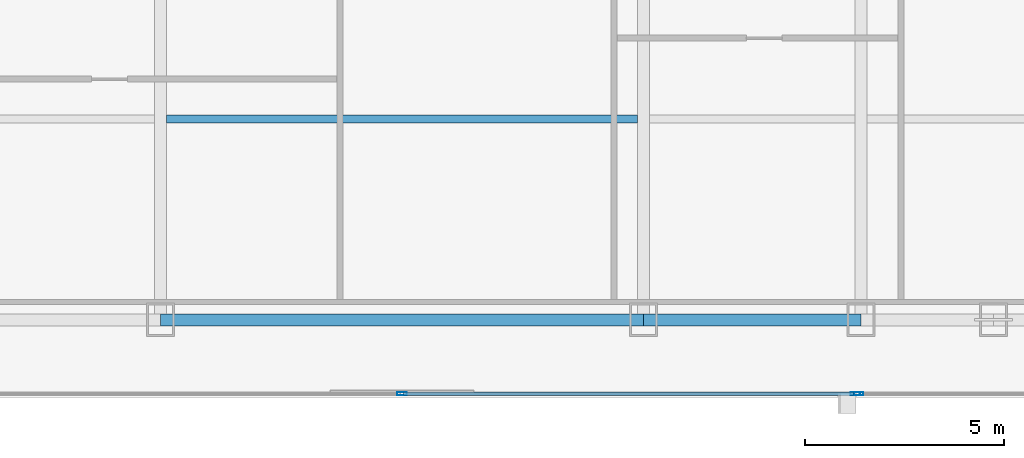
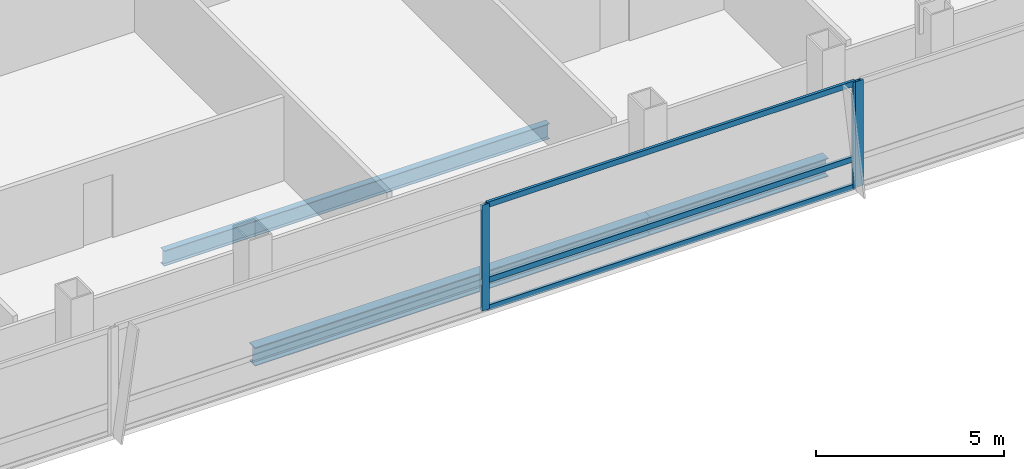
# One storey, part 13 of 29: 6 members, 3 beams, 2 elements without a shape of their own.
"""IFC4 building model written with IfcOpenShell, lengths in metres."""

import ifcopenshell
import ifcopenshell.guid

model = None  # the IFC model being written
_history = None  # IfcOwnerHistory: only IFC2X3 demands one
_inside = {}  # id of a spatial element -> (the spatial element, [elements in it])
_under = {}  # id of a project, library or spatial element -> (it, [spatial elements below it])
_declared = {}  # id of a project -> (the project, [libraries it declares])
_typed = {}  # id of a type object -> (the type object, [elements of that type])
_made_of = {}  # id of a material, layer set ... -> (it, [elements and type objects made of it])


def new_model(schema):
    """Start an empty IFC model of exactly this schema.

    Asked for "IFC4X3", IfcOpenShell would pick the latest addendum, in which some entities
    have other attributes; the version numbers below select the first issue.
    IFC2X3 requires an IfcOwnerHistory on every rooted entity: one is made here for all.
    """
    global model, _history
    if schema == "IFC4X3":
        model = ifcopenshell.file(schema_version=(4, 3, 0, 0))
    else:
        model = ifcopenshell.file(schema=schema)
    _inside.clear()
    _under.clear()
    _declared.clear()
    _typed.clear()
    _made_of.clear()
    _history = None
    if model.schema == "IFC2X3":
        org = make("IfcOrganization", Name="unknown")
        user = make(
            "IfcPersonAndOrganization",
            ThePerson=make("IfcPerson", FamilyName="unknown"),
            TheOrganization=org,
        )
        app = make(
            "IfcApplication",
            ApplicationDeveloper=org,
            Version="unknown",
            ApplicationFullName="unknown",
            ApplicationIdentifier="unknown",
        )
        _history = make(
            "IfcOwnerHistory",
            OwningUser=user,
            OwningApplication=app,
            ChangeAction="ADDED",
            CreationDate=0,
        )
    return model


def make(cls, **values):
    """One entity of the class cls with the attributes given. An attribute that is None is left unset."""
    return model.create_entity(
        cls, **{name: value for name, value in values.items() if value is not None}
    )


def rooted(cls, **values):
    """An entity with a GlobalId (a new one), such as an element, a storey or a relation."""
    return make(cls, GlobalId=ifcopenshell.guid.new(), OwnerHistory=_history, **values)


def si_unit(unit_type, name, prefix=None):
    """IfcSIUnit, for example si_unit("LENGTHUNIT", "METRE", prefix="MILLI")."""
    return make("IfcSIUnit", UnitType=unit_type, Prefix=prefix, Name=name)


def assignment(units):
    """IfcUnitAssignment: the units of a project."""
    return None if units is None else make("IfcUnitAssignment", Units=units)


def point(xyz):
    """IfcCartesianPoint."""
    return None if xyz is None else make("IfcCartesianPoint", Coordinates=xyz)


def direction(xyz):
    """IfcDirection."""
    return None if xyz is None else make("IfcDirection", DirectionRatios=xyz)


def frame(location, z_axis=None, x_axis=None):
    """IfcAxis2Placement3D, a coordinate frame: its origin and axes. An axis left out is left unset."""
    return make(
        "IfcAxis2Placement3D",
        Location=point(location),
        Axis=direction(z_axis),
        RefDirection=direction(x_axis),
    )


def frame_2d(location, x_axis=None):
    """IfcAxis2Placement2D, a coordinate frame in the plane: its origin and x axis."""
    return make(
        "IfcAxis2Placement2D", Location=point(location), RefDirection=direction(x_axis)
    )


def origin():
    """The frame at (0, 0, 0) with its axes left unset."""
    return frame((0.0, 0.0, 0.0))


def origin_2d():
    """The frame at (0, 0) in the plane with its x axis left unset."""
    return frame_2d((0.0, 0.0))


def place(relative_to, where):
    """IfcLocalPlacement: puts the frame where relative to a parent placement (None: the world)."""
    return make(
        "IfcLocalPlacement", PlacementRelTo=relative_to, RelativePlacement=where
    )


def context(
    kind, dimensions, precision=None, world=None, true_north=None, identifier=None
):
    """IfcGeometricRepresentationContext, for example the 3D "Model" context."""
    return make(
        "IfcGeometricRepresentationContext",
        ContextIdentifier=identifier,
        ContextType=kind,
        CoordinateSpaceDimension=dimensions,
        Precision=precision,
        WorldCoordinateSystem=world,
        TrueNorth=true_north,
    )


def subcontext(parent, identifier, kind, view, scale=None):
    """IfcGeometricRepresentationSubContext, for example "Body" below "Model"."""
    return make(
        "IfcGeometricRepresentationSubContext",
        ContextIdentifier=identifier,
        ContextType=kind,
        ParentContext=parent,
        TargetScale=scale,
        TargetView=view,
    )


def project(units=None, contexts=None):
    """IfcProject with its units and contexts."""
    return rooted(
        "IfcProject",
        Name="project",
        RepresentationContexts=contexts,
        UnitsInContext=assignment(units),
    )


def spatial(cls, under=None, at=None, **own):
    """A site, building, storey or space (cls), placed at a placement, below another one or the project."""
    s = rooted(cls, ObjectPlacement=at, **own)
    if under is not None:
        _under.setdefault(under.id(), (under, []))[1].append(s)
    return s


def profile(cls, at=None, kind="AREA", **sizes):
    """A parametric profile (cls). Its sizes go by their IFC names, for example OverallWidth=200.0."""
    return make(cls, ProfileType=kind, Position=at, **sizes)


def hollow_rectangle(**sizes):
    """IfcRectangleHollowProfileDef."""
    return profile("IfcRectangleHollowProfileDef", **sizes)


def i_section(**sizes):
    """IfcIShapeProfileDef."""
    return profile("IfcIShapeProfileDef", **sizes)


def extrude(swept, where, along, depth):
    """IfcExtrudedAreaSolid: the profile swept, set in the frame where, extruded along a direction by depth."""
    return make(
        "IfcExtrudedAreaSolid",
        SweptArea=swept,
        Position=where,
        ExtrudedDirection=direction(along),
        Depth=depth,
    )


def shape(context_of_items, identifier, shape_type, items):
    """IfcShapeRepresentation: the items that make up one representation, for example the "Body"."""
    return make(
        "IfcShapeRepresentation",
        ContextOfItems=context_of_items,
        RepresentationIdentifier=identifier,
        RepresentationType=shape_type,
        Items=items,
    )


def material(Name=None, Category=None):
    """IfcMaterial."""
    return make("IfcMaterial", Name=Name, Category=Category)


def material_profile(
    of_material, cross_section, Name=None, Category=None, Priority=None
):
    """IfcMaterialProfile: a cross section and its material."""
    return make(
        "IfcMaterialProfile",
        Name=Name,
        Material=of_material,
        Profile=cross_section,
        Priority=Priority,
        Category=Category,
    )


def profile_set(profiles, Name=None, composite=None):
    """IfcMaterialProfileSet."""
    return make(
        "IfcMaterialProfileSet",
        Name=Name,
        MaterialProfiles=profiles,
        CompositeProfile=composite,
    )


def made_of(thing, what):
    """Note that an element or type object is made of a material, layer set ...; save() writes the relation."""
    if what is not None:
        _made_of.setdefault(what.id(), (what, []))[1].append(thing)
    return thing


def type_object(cls, material=None, **own):
    """A type object (cls), such as IfcWallType, which elements share."""
    return made_of(rooted(cls, **own), material)


def element(
    cls,
    number,
    at=None,
    inside=None,
    cuts=None,
    type_object=None,
    material=None,
    context=None,
    identifier="Body",
    shape_type=None,
    held_by="IfcProductDefinitionShape",
    body=None,
    shapes=None,
    **own,
):
    """One element of the class cls, such as IfcWall. Its Tag is "e" and its number.

    at: its placement. inside: the storey or other place that contains it. cuts: it is an
    opening in that element (IfcRelVoidsElement). A single representation is given by context,
    identifier, shape_type and body (its items); several are given by shapes. held_by: the class
    of the entity that holds the representations. save() writes the other relations.
    """
    e = rooted(cls, Tag="e%d" % number, ObjectPlacement=at, **own)
    if body is not None:
        shapes = [shape(context, identifier, shape_type, body)]
    if shapes is not None:
        e.Representation = make(held_by, Representations=shapes)
    if inside is not None:
        _inside.setdefault(inside.id(), (inside, []))[1].append(e)
    if cuts is not None:
        rooted(
            "IfcRelVoidsElement", RelatingBuildingElement=cuts, RelatedOpeningElement=e
        )
    if type_object is not None:
        _typed.setdefault(type_object.id(), (type_object, []))[1].append(e)
    return made_of(e, material)


def aggregate(whole, parts):
    """IfcRelAggregates: a whole, such as a stair, and the parts it consists of."""
    return rooted("IfcRelAggregates", RelatingObject=whole, RelatedObjects=parts)


def save(model, path):
    """Write the relations noted so far, then the file.

    IfcRelAggregates (storeys below a building ...), IfcRelContainedInSpatialStructure (elements
    in a storey), IfcRelDefinesByType, IfcRelAssociatesMaterial and IfcRelDeclares: one each for
    every whole, place, type object, material and project.
    """
    for whole, parts in _under.values():
        aggregate(whole, parts)
    for where, things in _inside.values():
        rooted(
            "IfcRelContainedInSpatialStructure",
            RelatedElements=things,
            RelatingStructure=where,
        )
    for kind, things in _typed.values():
        rooted("IfcRelDefinesByType", RelatedObjects=things, RelatingType=kind)
    for what, things in _made_of.values():
        rooted("IfcRelAssociatesMaterial", RelatedObjects=things, RelatingMaterial=what)
    for by, libraries in _declared.values():
        rooted("IfcRelDeclares", RelatingContext=by, RelatedDefinitions=libraries)
    model.write(path)


model = new_model("IFC4")

# Units and contexts
model_context = context("Model", 3, precision=1e-05, world=origin(), true_north=direction((0.0, 1.0)))
body_context = subcontext(model_context, "Body", "Model", "MODEL_VIEW")
ifc_project = project(units=[si_unit("LENGTHUNIT", "METRE"), si_unit("AREAUNIT", "SQUARE_METRE"), si_unit("VOLUMEUNIT", "CUBIC_METRE"), si_unit("PLANEANGLEUNIT", "RADIAN"), si_unit("MASSUNIT", "GRAM", prefix="KILO")], contexts=[model_context])

# Site, building, storey
site_placement = place(None, origin())
site = spatial("IfcSite", under=ifc_project, at=site_placement, CompositionType="ELEMENT")
building_placement = place(site_placement, origin())
building = spatial("IfcBuilding", under=site, at=building_placement, Name="Khoronbel Lancet Exchange", CompositionType="ELEMENT")
storey_placement = place(building_placement, frame((0.0, 0.0, 143.39990234375)))
storey = spatial("IfcBuildingStorey", under=building, at=storey_placement, Name="L35", CompositionType="ELEMENT", Elevation=143.39990234375)

# Beams
ifc_material_1 = material(Name="Steel S355", Category="steel")
ifc_material_profile_1 = material_profile(ifc_material_1, i_section(OverallWidth=0.199951171875, OverallDepth=0.5, WebThickness=0.01025390625, FlangeThickness=0.01611328125, at=origin_2d()), Name="IPE 500")
ifc_profile_set_1 = profile_set([ifc_material_profile_1], Name="Steel S355")
beam_type_1 = type_object("IfcBeamType", Name="BM-BJ3", PredefinedType="JOIST", material=ifc_profile_set_1)
beam_1_placement = place(storey_placement, frame((30.52490234375, 15.199951171875, -0.409912109375), z_axis=(1.0, 0.0, 0.0), x_axis=(0.0, 1.0, 0.0)))
element("IfcBeam", 1, at=beam_1_placement, inside=storey, type_object=beam_type_1, Name="Level L35 secondary composite joist J03", PredefinedType="JOIST", context=body_context, shape_type="SweptSolid", body=[
    extrude(i_section(OverallWidth=0.199951171875, OverallDepth=0.5, WebThickness=0.01025390625, FlangeThickness=0.01611328125, at=origin_2d()), origin(), (0.0, 0.0, 1.0), 11.85009765625),
])
ifc_material_profile_2 = material_profile(ifc_material_1, i_section(OverallWidth=0.300048828125, OverallDepth=0.60009765625, WebThickness=0.015380859375, FlangeThickness=0.030029296875, at=origin_2d()), Name="HEB 600")
ifc_profile_set_2 = profile_set([ifc_material_profile_2], Name="Steel S355")
beam_type_2 = type_object("IfcBeamType", Name="BM-BSP2", PredefinedType="SPANDREL", material=ifc_profile_set_2)
beam_2_placement = place(storey_placement, frame((30.375, 10.14990234375, -0.4599609375), z_axis=(1.0, 0.0, 0.0), x_axis=(0.0, 1.0, 0.0)))
element("IfcBeam", 2, at=beam_2_placement, inside=storey, type_object=beam_type_2, Name="Level L35 perimeter spandrel beam SP05", PredefinedType="SPANDREL", context=body_context, shape_type="SweptSolid", body=[
    extrude(i_section(OverallWidth=0.300048828125, OverallDepth=0.60009765625, WebThickness=0.015380859375, FlangeThickness=0.030029296875, at=origin_2d()), origin(), (0.0, 0.0, 1.0), 12.14990234375),
])
beam_3_placement = place(storey_placement, frame((42.52490234375, 10.14990234375, -0.4599609375), z_axis=(1.0, 0.0, 0.0), x_axis=(0.0, 1.0, 0.0)))
element("IfcBeam", 3, at=beam_3_placement, inside=storey, type_object=beam_type_2, Name="Level L35 perimeter spandrel beam SP06", PredefinedType="SPANDREL", context=body_context, shape_type="SweptSolid", body=[
    extrude(i_section(OverallWidth=0.300048828125, OverallDepth=0.60009765625, WebThickness=0.015380859375, FlangeThickness=0.030029296875, at=origin_2d()), origin(), (0.0, 0.0, 1.0), 5.47509765625),
])

# Curtain wall, members
ifc_material_2 = material(Name="Low-E Solar Control Insulating Glass", Category="glass")
curtain_wall_type = type_object("IfcCurtainWallType", Name="CW-3", PredefinedType="NOTDEFINED", material=ifc_material_2)
curtain_wall_1_placement = place(storey_placement, origin())
curtain_wall_1 = element("IfcCurtainWall", 4, at=curtain_wall_1_placement, inside=storey, type_object=curtain_wall_type, Name="Unitised curtain wall CW-L35-SCV", PredefinedType="NOTDEFINED")
ifc_material_3 = material(Name="Bronze-Anodised Aluminium 6063-T6", Category="aluminium")
ifc_material_profile_3 = material_profile(ifc_material_3, hollow_rectangle(XDim=0.0849609375, YDim=0.239990234375, WallThickness=0.006103515625, at=origin_2d()), Name="ALU MULLION 85x240")
ifc_profile_set_3 = profile_set([ifc_material_profile_3], Name="Bronze-Anodised Aluminium 6063-T6")
member_type_1 = type_object("IfcMemberType", Name="MEM-CWM1", PredefinedType="MULLION", material=ifc_profile_set_3)
member_1_placement = place(storey_placement, frame((36.449951171875, 8.2900390625, 0.0), z_axis=(0.0, 0.0, 1.0), x_axis=(0.0, 1.0, 0.0)))
member_1 = element("IfcMember", 5, at=member_1_placement, type_object=member_type_1, Name="CW3 mullion 2", PredefinedType="MULLION", context=body_context, shape_type="SweptSolid", body=[
    extrude(hollow_rectangle(XDim=0.0849609375, YDim=0.239990234375, WallThickness=0.006103515625, at=origin_2d()), origin(), (0.0, 0.0, 1.0), 3.440185546875),
])
member_2_placement = place(storey_placement, frame((47.857421875, 8.2900390625, 0.0), z_axis=(0.0, 0.0, 1.0), x_axis=(0.0, 1.0, 0.0)))
member_2 = element("IfcMember", 6, at=member_2_placement, type_object=member_type_1, Name="CW3 mullion 3", PredefinedType="MULLION", context=body_context, shape_type="SweptSolid", body=[
    extrude(hollow_rectangle(XDim=0.0849609375, YDim=0.239990234375, WallThickness=0.006103515625, at=origin_2d()), origin(), (0.0, 0.0, 1.0), 3.440185546875),
])

# Curtain wall, member
curtain_wall_2_placement = place(storey_placement, origin())
curtain_wall_2 = element("IfcCurtainWall", 7, at=curtain_wall_2_placement, inside=storey, type_object=curtain_wall_type, Name="Unitised curtain wall CW-L35-SEB", PredefinedType="NOTDEFINED")
member_3_placement = place(storey_placement, frame((47.9423828125, 8.2900390625, 0.0), z_axis=(0.0, 0.0, 1.0), x_axis=(0.0, 1.0, 0.0)))
member_3 = element("IfcMember", 8, at=member_3_placement, type_object=member_type_1, Name="CW3 mullion 1", PredefinedType="MULLION", context=body_context, shape_type="SweptSolid", body=[
    extrude(hollow_rectangle(XDim=0.0849609375, YDim=0.239990234375, WallThickness=0.006103515625, at=origin_2d()), origin(), (0.0, 0.0, 1.0), 3.440185546875),
])
aggregate(curtain_wall_2, [member_3])

# Member
ifc_material_profile_4 = material_profile(ifc_material_3, hollow_rectangle(XDim=0.0849609375, YDim=0.179931640625, WallThickness=0.0048828125, at=origin_2d()), Name="ALU TRANSOM 85x180")
ifc_profile_set_4 = profile_set([ifc_material_profile_4], Name="Bronze-Anodised Aluminium 6063-T6")
member_type_2 = type_object("IfcMemberType", Name="MEM-CWT1", PredefinedType="USERDEFINED", material=ifc_profile_set_4)
member_4_placement = place(storey_placement, frame((36.492431640625, 8.2900390625, 0.04248046875), z_axis=(1.0, 0.0, 0.0), x_axis=(0.0, 1.0, 0.0)))
member_4 = element("IfcMember", 9, at=member_4_placement, type_object=member_type_2, Name="CW3 transom 2.1", ObjectType="TRANSOM", PredefinedType="USERDEFINED", context=body_context, shape_type="SweptSolid", body=[
    extrude(hollow_rectangle(XDim=0.0849609375, YDim=0.179931640625, WallThickness=0.0048828125, at=origin_2d()), origin(), (0.0, 0.0, 1.0), 11.322509765625),
])

member_5_placement = place(storey_placement, frame((36.492431640625, 8.2900390625, 0.9501953125), z_axis=(1.0, 0.0, 0.0), x_axis=(0.0, 1.0, 0.0)))
member_5 = element("IfcMember", 10, at=member_5_placement, type_object=member_type_2, Name="CW3 transom 2.2", ObjectType="TRANSOM", PredefinedType="USERDEFINED", context=body_context, shape_type="SweptSolid", body=[
    extrude(hollow_rectangle(XDim=0.0849609375, YDim=0.179931640625, WallThickness=0.0048828125, at=origin_2d()), origin(), (0.0, 0.0, 1.0), 11.322509765625),
])

member_6_placement = place(storey_placement, frame((36.492431640625, 8.2900390625, 3.397705078125), z_axis=(1.0, 0.0, 0.0), x_axis=(0.0, 1.0, 0.0)))
member_6 = element("IfcMember", 11, at=member_6_placement, type_object=member_type_2, Name="CW3 transom 2.3", ObjectType="TRANSOM", PredefinedType="USERDEFINED", context=body_context, shape_type="SweptSolid", body=[
    extrude(hollow_rectangle(XDim=0.0849609375, YDim=0.179931640625, WallThickness=0.0048828125, at=origin_2d()), origin(), (0.0, 0.0, 1.0), 11.322509765625),
])

aggregate(curtain_wall_1, [member_1, member_2, member_4, member_5, member_6])

save(model, "model.ifc")
